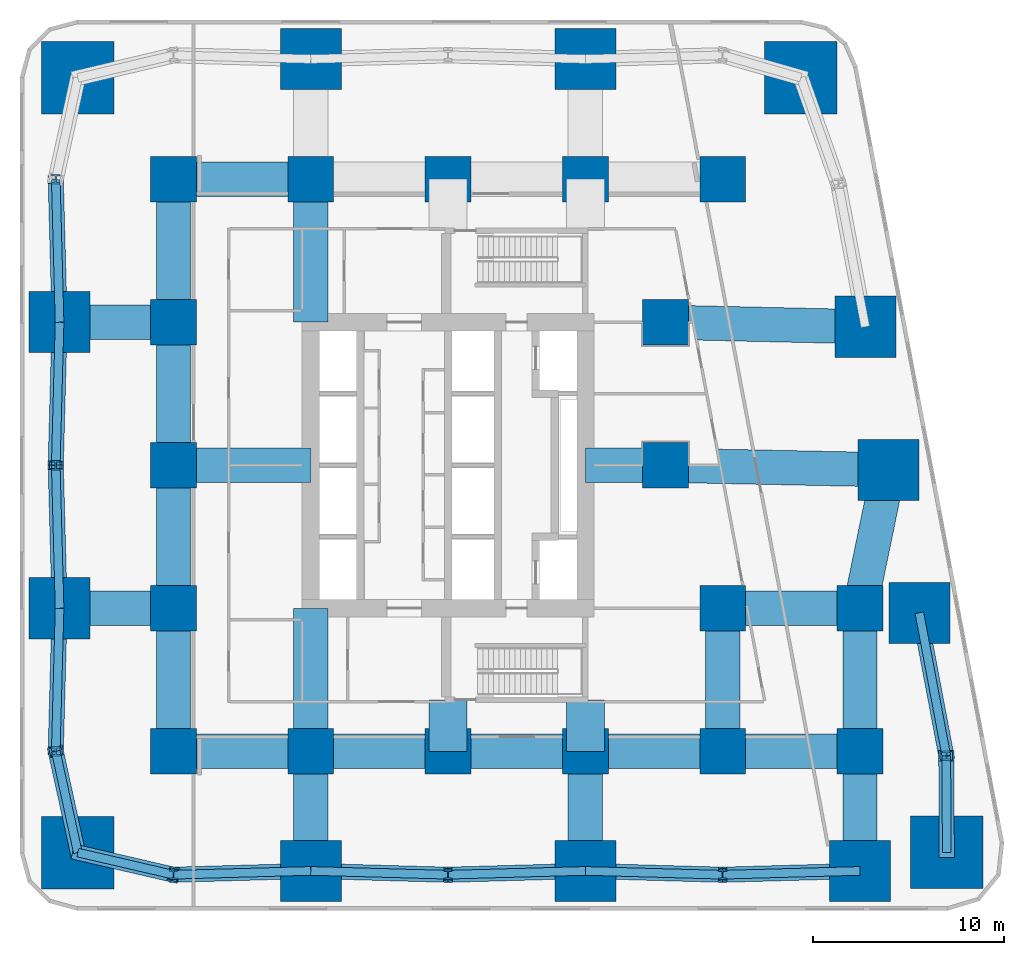
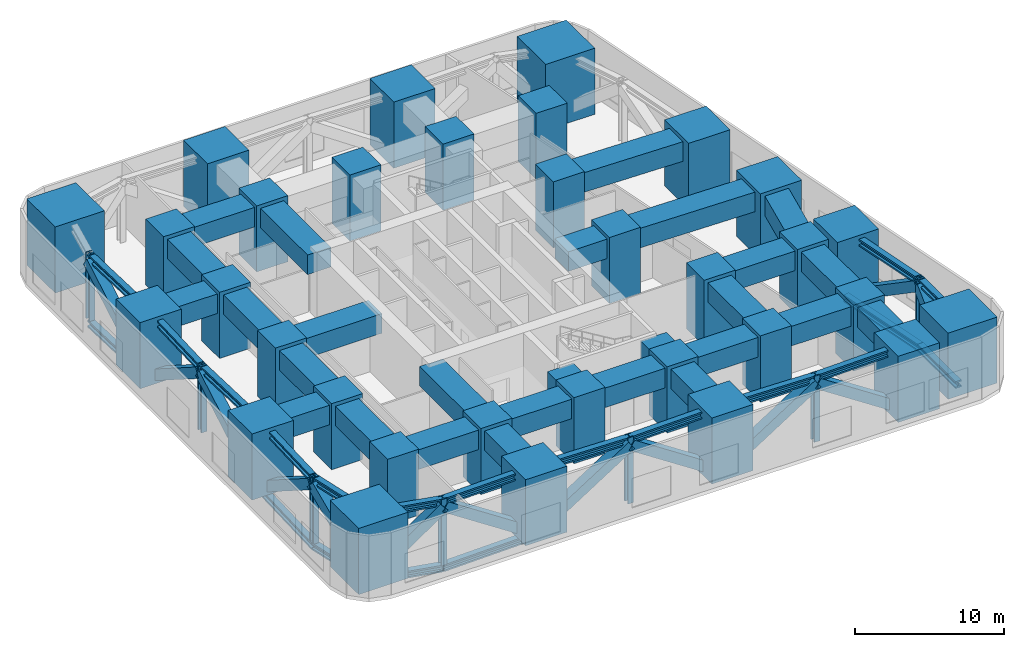
# One storey, part 1 of 8: 40 members, 32 columns, 27 beams.
"""IFC4 building model written with IfcOpenShell, lengths in metres."""

from ifc_helpers import new_model, si_unit, direction, frame, origin, origin_2d, place, context, subcontext, project, spatial, rectangle, hollow_rectangle, i_section, extrude, material, material_profile, profile_set, type_object, element, save


model = new_model("IFC4")

# Units and contexts
model_context = context("Model", 3, precision=1e-05, world=origin(), true_north=direction((0.0, 1.0)))
body_context = subcontext(model_context, "Body", "Model", "MODEL_VIEW")
ifc_project = project(units=[si_unit("LENGTHUNIT", "METRE"), si_unit("AREAUNIT", "SQUARE_METRE"), si_unit("VOLUMEUNIT", "CUBIC_METRE"), si_unit("PLANEANGLEUNIT", "RADIAN"), si_unit("MASSUNIT", "GRAM", prefix="KILO")], contexts=[model_context])

# Site, building, storey
site_placement = place(None, origin())
site = spatial("IfcSite", under=ifc_project, at=site_placement, CompositionType="ELEMENT")
building_placement = place(site_placement, origin())
building = spatial("IfcBuilding", under=site, at=building_placement, Name="Sheger Commons Tower", CompositionType="ELEMENT")
storey_placement = place(building_placement, frame((0.0, 0.0, 14.60009765625)))
storey = spatial("IfcBuildingStorey", under=building, at=storey_placement, Name="L03", CompositionType="ELEMENT", Elevation=14.60009765625)

# Columns
ifc_material_1 = material(Name="Concrete C50/60", Category="concrete")
ifc_material_profile_1 = material_profile(ifc_material_1, rectangle(XDim=2.39990234375, YDim=2.39990234375, at=origin_2d()), Name="RC 2400x2400")
ifc_profile_set_1 = profile_set([ifc_material_profile_1], Name="Concrete C50/60")
column_type_1 = type_object("IfcColumnType", Name="COLUMN RC 2400x2400", PredefinedType="COLUMN", material=ifc_profile_set_1)
for number, where, z_axis, x_axis, name in (
    (1, (7.199951171875, 7.5, 0.0), (0.0, 0.0, 1.0), (1.0, 0.0, 0.0), "Column 2/B L03"),
    (2, (14.39990234375, 7.5, 0.0), (0.0, 0.0, 1.0), (1.0, 0.0, 0.0), "Column 3/B L03"),
    (3, (21.60009765625, 7.5, 0.0), (0.0, 0.0, 1.0), (1.0, 0.0, 0.0), "Column 4/B L03"),
    (4, (28.800048828125, 7.5, 0.0), (0.0, 0.0, 1.0), (1.0, 0.0, 0.0), "Column 5/B L03"),
    (5, (36.0, 7.5, 0.0), (0.0, 0.0, 1.0), (1.0, 0.0, 0.0), "Column 6/B L03"),
    (6, (43.199951171875, 7.5, 0.0), (0.0, 0.0, 1.0), (1.0, 0.0, 0.0), "Column 7/B L03"),
    (7, (7.199951171875, 15.0, 0.0), (0.0, 0.0, 1.0), (1.0, 0.0, 0.0), "Column 2/C L03"),
    (8, (36.0, 15.0, 0.0), (0.0, 0.0, 1.0), (1.0, 0.0, 0.0), "Column 6/C L03"),
    (9, (43.199951171875, 15.0, 0.0), (0.0, 0.0, 1.0), (1.0, 0.0, 0.0), "Column 7/C L03"),
    (10, (7.199951171875, 22.5, 0.0), (0.0, 0.0, 1.0), (1.0, 0.0, 0.0), "Column 2/D L03"),
    (11, (33.0, 22.5, 0.0), (0.0, 0.0, 1.0), (1.0, 0.0, 0.0), "Column 6-3000/D L03"),
    (12, (7.199951171875, 30.0, 0.0), (0.0, 0.0, 1.0), (1.0, 0.0, 0.0), "Column 2/E L03"),
    (13, (33.0, 30.0, 0.0), (0.0, 0.0, 1.0), (1.0, 0.0, 0.0), "Column 6-3000/E L03"),
    (14, (7.199951171875, 37.5, 0.0), (0.0, 0.0, 1.0), (1.0, 0.0, 0.0), "Column 2/F L03"),
    (15, (14.39990234375, 37.5, 0.0), (0.0, 0.0, 1.0), (1.0, 0.0, 0.0), "Column 3/F L03"),
    (16, (21.60009765625, 37.5, 0.0), (0.0, 0.0, 1.0), (1.0, 0.0, 0.0), "Column 4/F L03"),
    (17, (28.800048828125, 37.5, 0.0), (0.0, 0.0, 1.0), (1.0, 0.0, 0.0), "Column 5/F L03"),
    (18, (36.0, 37.5, 0.0), (0.0, 0.0, 1.0), (1.0, 0.0, 0.0), "Column 6/F L03"),
):
    element("IfcColumn", number, at=place(storey_placement, frame(where, z_axis=z_axis, x_axis=x_axis)), inside=storey, type_object=column_type_1, Name=name, PredefinedType="COLUMN", context=body_context, shape_type="SweptSolid", body=[
        extrude(rectangle(XDim=2.39990234375, YDim=2.39990234375, at=origin_2d()), origin(), (0.0, 0.0, 1.0), 5.39990234375),
    ])
ifc_material_2 = material(Name="Concrete C50/60", Category="concrete")
ifc_material_profile_2 = material_profile(ifc_material_2, rectangle(XDim=3.199951171875, YDim=3.199951171875, at=origin_2d()), Name="RC 3200x3200")
ifc_profile_set_2 = profile_set([ifc_material_profile_2], Name="Concrete C50/60")
column_type_2 = type_object("IfcColumnType", Name="COLUMN RC 3200x3200", PredefinedType="COLUMN", material=ifc_profile_set_2)
for number, where, z_axis, x_axis, name in (
    (19, (14.39990234375, 1.22509765625, 0.0), (0.0, 0.0, 1.0), (1.0, 0.0, 0.0), "Column 3/A L03"),
    (20, (28.800048828125, 1.22509765625, 0.0), (0.0, 0.0, 1.0), (1.0, 0.0, 0.0), "Column 5/A L03"),
    (21, (43.199951171875, 1.22509765625, 0.0), (0.0, 0.0, 1.0), (1.0, 0.0, 0.0), "Column 7/A L03"),
    (22, (1.22509765625, 15.0, 0.0), (0.0, 0.0, 1.0), (1.0, 0.0, 0.0), "Column 1/C L03"),
    (23, (46.31396484375, 14.762939453125, 0.0), (0.0, 0.0, 1.0), (1.0, 0.0, 0.0), "Column E/C L03"),
    (24, (44.697021484375, 22.262939453125, 0.0), (0.0, 0.0, 1.0), (1.0, 0.0, 0.0), "Column 7/D L03"),
    (25, (1.22509765625, 30.0, 0.0), (0.0, 0.0, 1.0), (1.0, 0.0, 0.0), "Column 1/E L03"),
    (26, (43.47998046875, 29.762939453125, 0.0), (0.0, 0.0, 1.0), (1.0, 0.0, 0.0), "Column E/E L03"),
    (27, (14.39990234375, 43.800048828125, 0.0), (0.0, 0.0, 1.0), (1.0, 0.0, 0.0), "Column 3/G L03"),
    (28, (28.800048828125, 43.800048828125, 0.0), (0.0, 0.0, 1.0), (1.0, 0.0, 0.0), "Column 5/G L03"),
):
    element("IfcColumn", number, at=place(storey_placement, frame(where, z_axis=z_axis, x_axis=x_axis)), inside=storey, type_object=column_type_2, Name=name, PredefinedType="COLUMN", context=body_context, shape_type="SweptSolid", body=[
        extrude(rectangle(XDim=3.199951171875, YDim=3.199951171875, at=origin_2d()), origin(), (0.0, 0.0, 1.0), 5.39990234375),
    ])
ifc_material_3 = material(Name="Concrete C50/60", Category="concrete")
ifc_material_profile_3 = material_profile(ifc_material_3, rectangle(XDim=3.800048828125, YDim=3.800048828125, at=origin_2d()), Name="RC 3800x3800")
ifc_profile_set_3 = profile_set([ifc_material_profile_3], Name="Concrete C50/60")
column_type_3 = type_object("IfcColumnType", Name="COLUMN RC 3800x3800", PredefinedType="COLUMN", material=ifc_profile_set_3)
for number, where, z_axis, x_axis, name in (
    (29, (2.18603515625, 2.18603515625, 0.0), (0.0, 0.0, 1.0), (1.0, 0.0, 0.0), "Column 0.630,0.630 L03"),
    (30, (47.748046875, 2.197021484375, 0.0), (0.0, 0.0, 1.0), (1.0, 0.0, 0.0), "Column 49.461,0.778 L03"),
    (31, (2.18603515625, 42.81396484375, 0.0), (0.0, 0.0, 1.0), (1.0, 0.0, 0.0), "Column 0.630,44.370 L03"),
    (32, (40.10205078125, 42.830078125, 0.0), (0.0, 0.0, 1.0), (1.0, 0.0, 0.0), "Column 41.490,44.505 L03"),
):
    element("IfcColumn", number, at=place(storey_placement, frame(where, z_axis=z_axis, x_axis=x_axis)), inside=storey, type_object=column_type_3, Name=name, PredefinedType="COLUMN", context=body_context, shape_type="SweptSolid", body=[
        extrude(rectangle(XDim=3.800048828125, YDim=3.800048828125, at=origin_2d()), origin(), (0.0, 0.0, 1.0), 5.39990234375),
    ])

# Beams
ifc_material_4 = material(Name="Concrete C50/60", Category="concrete")
ifc_material_profile_4 = material_profile(ifc_material_4, rectangle(XDim=1.800048828125, YDim=1.60009765625, at=origin_2d()), Name="RC 1800x1600")
ifc_profile_set_4 = profile_set([ifc_material_profile_4], Name="Concrete C50/60")
beam_type_1 = type_object("IfcBeamType", Name="BEAM RC 1800x1600", PredefinedType="BEAM", material=ifc_profile_set_4)
beam_1_placement = place(storey_placement, frame((7.199951171875, 7.5, 4.2998046875), z_axis=(1.0, 0.0, 0.0), x_axis=(0.0, 1.0, 0.0)))
element("IfcBeam", 33, at=beam_1_placement, inside=storey, type_object=beam_type_1, Name="Beam 2/B-3/B under L04", PredefinedType="BEAM", context=body_context, shape_type="SweptSolid", body=[
    extrude(rectangle(XDim=1.800048828125, YDim=1.60009765625, at=origin_2d()), origin(), (0.0, 0.0, 1.0), 7.199951171875),
])
beam_2_placement = place(storey_placement, frame((14.39990234375, 7.5, 4.2998046875), z_axis=(1.0, 0.0, 0.0), x_axis=(0.0, 1.0, 0.0)))
element("IfcBeam", 34, at=beam_2_placement, inside=storey, type_object=beam_type_1, Name="Beam 3/B-4/B under L04", PredefinedType="BEAM", context=body_context, shape_type="SweptSolid", body=[
    extrude(rectangle(XDim=1.800048828125, YDim=1.60009765625, at=origin_2d()), origin(), (0.0, 0.0, 1.0), 7.2001953125),
])
for number, where, z_axis, x_axis, name in (
    (35, (21.60009765625, 7.5, 4.2998046875), (1.0, 0.0, 0.0), (0.0, 1.0, 0.0), "Beam 4/B-5/B under L04"),
    (36, (28.800048828125, 7.5, 4.2998046875), (1.0, 0.0, 0.0), (0.0, 1.0, 0.0), "Beam 5/B-6/B under L04"),
    (37, (36.0, 7.5, 4.2998046875), (1.0, 0.0, 0.0), (0.0, 1.0, 0.0), "Beam 6/B-7/B under L04"),
):
    element("IfcBeam", number, at=place(storey_placement, frame(where, z_axis=z_axis, x_axis=x_axis)), inside=storey, type_object=beam_type_1, Name=name, PredefinedType="BEAM", context=body_context, shape_type="SweptSolid", body=[
        extrude(rectangle(XDim=1.800048828125, YDim=1.60009765625, at=origin_2d()), origin(), (0.0, 0.0, 1.0), 7.199951171875),
    ])
beam_3_placement = place(storey_placement, frame((1.22509765625, 15.0, 4.2998046875), z_axis=(1.0, 0.0, 0.0), x_axis=(0.0, 1.0, 0.0)))
element("IfcBeam", 38, at=beam_3_placement, inside=storey, type_object=beam_type_1, Name="Beam 1/C-2/C under L04", PredefinedType="BEAM", context=body_context, shape_type="SweptSolid", body=[
    extrude(rectangle(XDim=1.800048828125, YDim=1.60009765625, at=origin_2d()), origin(), (0.0, 0.0, 1.0), 5.974853515625),
])
for number, where, z_axis, x_axis, name in (
    (39, (36.0, 15.0, 4.2998046875), (1.0, 0.0, 0.0), (0.0, 1.0, 0.0), "Beam 6/C-7/C under L04"),
    (40, (7.199951171875, 22.5, 4.2998046875), (1.0, 0.0, 0.0), (0.0, 1.0, 0.0), "Beam 2/D-3/D under L04"),
):
    element("IfcBeam", number, at=place(storey_placement, frame(where, z_axis=z_axis, x_axis=x_axis)), inside=storey, type_object=beam_type_1, Name=name, PredefinedType="BEAM", context=body_context, shape_type="SweptSolid", body=[
        extrude(rectangle(XDim=1.800048828125, YDim=1.60009765625, at=origin_2d()), origin(), (0.0, 0.0, 1.0), 7.199951171875),
    ])
beam_4_placement = place(storey_placement, frame((28.800048828125, 22.5, 4.2998046875), z_axis=(1.0, 0.0, 0.0), x_axis=(0.0, 1.0, 0.0)))
element("IfcBeam", 41, at=beam_4_placement, inside=storey, type_object=beam_type_1, Name="Beam 5/D-6-3000/D under L04", PredefinedType="BEAM", context=body_context, shape_type="SweptSolid", body=[
    extrude(rectangle(XDim=1.800048828125, YDim=1.60009765625, at=origin_2d()), origin(), (0.0, 0.0, 1.0), 4.199951171875),
])
beam_5_placement = place(storey_placement, frame((33.0, 22.5, 4.2998046875), z_axis=(0.999794692776, -0.02026258368, 0.0), x_axis=(0.02026258368, 0.999794692776, 0.0)))
element("IfcBeam", 42, at=beam_5_placement, inside=storey, type_object=beam_type_1, Name="Beam 6-3000/D-7/D under L04", PredefinedType="BEAM", context=body_context, shape_type="SweptSolid", body=[
    extrude(rectangle(XDim=1.800048828125, YDim=1.60009765625, at=origin_2d()), origin(), (0.0, 0.0, 1.0), 11.699462890625),
])
beam_6_placement = place(storey_placement, frame((1.22509765625, 30.0, 4.2998046875), z_axis=(1.0, 0.0, 0.0), x_axis=(0.0, 1.0, 0.0)))
element("IfcBeam", 43, at=beam_6_placement, inside=storey, type_object=beam_type_1, Name="Beam 1/E-2/E under L04", PredefinedType="BEAM", context=body_context, shape_type="SweptSolid", body=[
    extrude(rectangle(XDim=1.800048828125, YDim=1.60009765625, at=origin_2d()), origin(), (0.0, 0.0, 1.0), 5.974853515625),
])
beam_7_placement = place(storey_placement, frame((33.0, 30.0, 4.2998046875), z_axis=(0.999744258625, -0.022614538395, 0.0), x_axis=(0.022614538395, 0.999744258625, 0.0)))
element("IfcBeam", 44, at=beam_7_placement, inside=storey, type_object=beam_type_1, Name="Beam 6-3000/E-E/E under L04", PredefinedType="BEAM", context=body_context, shape_type="SweptSolid", body=[
    extrude(rectangle(XDim=1.800048828125, YDim=1.60009765625, at=origin_2d()), origin(), (0.0, 0.0, 1.0), 10.482666015625),
])
beam_8_placement = place(storey_placement, frame((7.199951171875, 37.5, 4.2998046875), z_axis=(1.0, 0.0, 0.0), x_axis=(0.0, 1.0, 0.0)))
element("IfcBeam", 45, at=beam_8_placement, inside=storey, type_object=beam_type_1, Name="Beam 2/F-3/F under L04", PredefinedType="BEAM", context=body_context, shape_type="SweptSolid", body=[
    extrude(rectangle(XDim=1.800048828125, YDim=1.60009765625, at=origin_2d()), origin(), (0.0, 0.0, 1.0), 7.199951171875),
])
for number, where, z_axis, x_axis, name in (
    (46, (7.199951171875, 7.5, 4.2998046875), (0.0, 1.0, 0.0), (-1.0, 0.0, 0.0), "Beam 2/B-2/C under L04"),
    (47, (7.199951171875, 15.0, 4.2998046875), (0.0, 1.0, 0.0), (-1.0, 0.0, 0.0), "Beam 2/C-2/D under L04"),
    (48, (7.199951171875, 22.5, 4.2998046875), (0.0, 1.0, 0.0), (-1.0, 0.0, 0.0), "Beam 2/D-2/E under L04"),
    (49, (7.199951171875, 30.0, 4.2998046875), (0.0, 1.0, 0.0), (-1.0, 0.0, 0.0), "Beam 2/E-2/F under L04"),
):
    element("IfcBeam", number, at=place(storey_placement, frame(where, z_axis=z_axis, x_axis=x_axis)), inside=storey, type_object=beam_type_1, Name=name, PredefinedType="BEAM", context=body_context, shape_type="SweptSolid", body=[
        extrude(rectangle(XDim=1.800048828125, YDim=1.60009765625, at=origin_2d()), origin(), (0.0, 0.0, 1.0), 7.5),
    ])
beam_9_placement = place(storey_placement, frame((14.39990234375, 1.22509765625, 4.2998046875), z_axis=(0.0, 1.0, 0.0), x_axis=(-1.0, 0.0, 0.0)))
element("IfcBeam", 50, at=beam_9_placement, inside=storey, type_object=beam_type_1, Name="Beam 3/A-3/B under L04", PredefinedType="BEAM", context=body_context, shape_type="SweptSolid", body=[
    extrude(rectangle(XDim=1.800048828125, YDim=1.60009765625, at=origin_2d()), origin(), (0.0, 0.0, 1.0), 6.27490234375),
])
for number, where, z_axis, x_axis, name in (
    (51, (14.39990234375, 7.5, 4.2998046875), (0.0, 1.0, 0.0), (-1.0, 0.0, 0.0), "Beam 3/B-3/C under L04"),
    (52, (14.39990234375, 30.0, 4.2998046875), (0.0, 1.0, 0.0), (-1.0, 0.0, 0.0), "Beam 3/E-3/F under L04"),
):
    element("IfcBeam", number, at=place(storey_placement, frame(where, z_axis=z_axis, x_axis=x_axis)), inside=storey, type_object=beam_type_1, Name=name, PredefinedType="BEAM", context=body_context, shape_type="SweptSolid", body=[
        extrude(rectangle(XDim=1.800048828125, YDim=1.60009765625, at=origin_2d()), origin(), (0.0, 0.0, 1.0), 7.5),
    ])
beam_10_placement = place(storey_placement, frame((28.800048828125, 1.22509765625, 4.2998046875), z_axis=(0.0, 1.0, 0.0), x_axis=(-1.0, 0.0, 0.0)))
element("IfcBeam", 53, at=beam_10_placement, inside=storey, type_object=beam_type_1, Name="Beam 5/A-5/B under L04", PredefinedType="BEAM", context=body_context, shape_type="SweptSolid", body=[
    extrude(rectangle(XDim=1.800048828125, YDim=1.60009765625, at=origin_2d()), origin(), (0.0, 0.0, 1.0), 6.27490234375),
])
beam_11_placement = place(storey_placement, frame((36.0, 7.5, 4.2998046875), z_axis=(0.0, 1.0, 0.0), x_axis=(-1.0, 0.0, 0.0)))
element("IfcBeam", 54, at=beam_11_placement, inside=storey, type_object=beam_type_1, Name="Beam 6/B-6/C under L04", PredefinedType="BEAM", context=body_context, shape_type="SweptSolid", body=[
    extrude(rectangle(XDim=1.800048828125, YDim=1.60009765625, at=origin_2d()), origin(), (0.0, 0.0, 1.0), 7.5),
])
beam_12_placement = place(storey_placement, frame((43.199951171875, 1.22509765625, 4.2998046875), z_axis=(0.0, 1.0, 0.0), x_axis=(-1.0, 0.0, 0.0)))
element("IfcBeam", 55, at=beam_12_placement, inside=storey, type_object=beam_type_1, Name="Beam 7/A-7/B under L04", PredefinedType="BEAM", context=body_context, shape_type="SweptSolid", body=[
    extrude(rectangle(XDim=1.800048828125, YDim=1.60009765625, at=origin_2d()), origin(), (0.0, 0.0, 1.0), 6.27490234375),
])
beam_13_placement = place(storey_placement, frame((43.199951171875, 7.5, 4.2998046875), z_axis=(0.0, 1.0, 0.0), x_axis=(-1.0, 0.0, 0.0)))
element("IfcBeam", 56, at=beam_13_placement, inside=storey, type_object=beam_type_1, Name="Beam 7/B-7/C under L04", PredefinedType="BEAM", context=body_context, shape_type="SweptSolid", body=[
    extrude(rectangle(XDim=1.800048828125, YDim=1.60009765625, at=origin_2d()), origin(), (0.0, 0.0, 1.0), 7.5),
])
beam_14_placement = place(storey_placement, frame((43.199951171875, 15.0, 4.2998046875), z_axis=(0.201880503661, 0.979410160373, 0.0), x_axis=(-0.979410160373, 0.201880503661, 0.0)))
element("IfcBeam", 57, at=beam_14_placement, inside=storey, type_object=beam_type_1, Name="Beam 7/C-7/D under L04", PredefinedType="BEAM", context=body_context, shape_type="SweptSolid", body=[
    extrude(rectangle(XDim=1.800048828125, YDim=1.60009765625, at=origin_2d()), origin(), (0.0, 0.0, 1.0), 7.41552734375),
])
ifc_material_5 = material(Name="Concrete C50/60", Category="concrete")
ifc_material_profile_5 = material_profile(ifc_material_5, rectangle(XDim=2.0, YDim=2.0, at=origin_2d()), Name="RC 2000x2000")
ifc_profile_set_5 = profile_set([ifc_material_profile_5], Name="Concrete C50/60")
beam_type_2 = type_object("IfcBeamType", Name="BEAM RC 2000x2000", PredefinedType="BEAM", material=ifc_profile_set_5)
for number, where, z_axis, x_axis, name in (
    (58, (21.60009765625, 7.5, 4.099853515625), (0.0, 1.0, 0.0), (-1.0, 0.0, 0.0), "Beam 4/B-21.600,10.200 under L04"),
    (59, (28.800048828125, 7.5, 4.099853515625), (0.0, 1.0, 0.0), (-1.0, 0.0, 0.0), "Beam 5/B-28.800,10.200 under L04"),
):
    element("IfcBeam", number, at=place(storey_placement, frame(where, z_axis=z_axis, x_axis=x_axis)), inside=storey, type_object=beam_type_2, Name=name, PredefinedType="BEAM", context=body_context, shape_type="SweptSolid", body=[
        extrude(rectangle(XDim=2.0, YDim=2.0, at=origin_2d()), origin(), (0.0, 0.0, 1.0), 2.699951171875),
    ])

# Members
ifc_material_6 = material(Name="Steel S355", Category="steel")
ifc_material_profile_6 = material_profile(ifc_material_6, hollow_rectangle(XDim=0.800048828125, YDim=0.800048828125, WallThickness=0.080078125, at=origin_2d()), Name="BOX 800x800x80")
ifc_profile_set_6 = profile_set([ifc_material_profile_6], Name="Steel S355")
member_type_1 = type_object("IfcMemberType", Name="BRACE BOX 800x800x80", PredefinedType="BRACE", material=ifc_profile_set_6)
member_1_placement = place(storey_placement, frame((2.18603515625, 2.18603515625, -0.300048828125), z_axis=(0.710307028416, -0.164494338372, 0.684401591192), x_axis=(0.225611239159, 0.974217413499, 0.0)))
element("IfcMember", 60, at=member_1_placement, inside=storey, type_object=member_type_1, Name="Transfer truss T1 diagonal", PredefinedType="BRACE", context=body_context, shape_type="SweptSolid", body=[
    extrude(hollow_rectangle(XDim=0.800048828125, YDim=0.800048828125, WallThickness=0.080078125, at=origin_2d()), origin(), (0.0, 0.0, 1.0), 7.058837890625),
])
member_2_placement = place(storey_placement, frame((14.39990234375, 1.22509765625, -0.300048828125), z_axis=(-0.83017054372, -0.02308296924, 0.557031457703), x_axis=(0.027794350926, -0.9996136624, 0.0)))
element("IfcMember", 61, at=member_2_placement, inside=storey, type_object=member_type_1, Name="Transfer truss T1 diagonal", PredefinedType="BRACE", context=body_context, shape_type="SweptSolid", body=[
    extrude(hollow_rectangle(XDim=0.800048828125, YDim=0.800048828125, WallThickness=0.080078125, at=origin_2d()), origin(), (0.0, 0.0, 1.0), 8.6728515625),
])
member_3_placement = place(storey_placement, frame((14.39990234375, 1.22509765625, -0.300048828125), z_axis=(0.830179292896, -0.023082429817, 0.557018440521), x_axis=(0.027793409217, 0.999613688584, 0.0)))
element("IfcMember", 62, at=member_3_placement, inside=storey, type_object=member_type_1, Name="Transfer truss T2 diagonal", PredefinedType="BRACE", context=body_context, shape_type="SweptSolid", body=[
    extrude(hollow_rectangle(XDim=0.800048828125, YDim=0.800048828125, WallThickness=0.080078125, at=origin_2d()), origin(), (0.0, 0.0, 1.0), 8.673095703125),
])
for number, where, z_axis, x_axis, name in (
    (63, (28.800048828125, 1.22509765625, -0.300048828125), (-0.83017054372, -0.02308296924, 0.557031457703), (0.027794350926, -0.9996136624, 0.0), "Transfer truss T2 diagonal"),
    (64, (28.800048828125, 1.22509765625, -0.300048828125), (0.83017054372, -0.02308296924, 0.557031457703), (0.027794350926, 0.9996136624, 0.0), "Transfer truss T3 diagonal"),
    (65, (43.199951171875, 1.22509765625, -0.300048828125), (-0.83017054372, -0.02308296924, 0.557031457703), (0.027794350926, -0.9996136624, 0.0), "Transfer truss T3 diagonal"),
):
    element("IfcMember", number, at=place(storey_placement, frame(where, z_axis=z_axis, x_axis=x_axis)), inside=storey, type_object=member_type_1, Name=name, PredefinedType="BRACE", context=body_context, shape_type="SweptSolid", body=[
        extrude(hollow_rectangle(XDim=0.800048828125, YDim=0.800048828125, WallThickness=0.080078125, at=origin_2d()), origin(), (0.0, 0.0, 1.0), 8.6728515625),
    ])
member_4_placement = place(storey_placement, frame((2.18603515625, 2.18603515625, -0.300048828125), z_axis=(-0.159606011293, 0.730442481455, 0.664063025959), x_axis=(-0.976949769283, -0.213469314652, 0.0)))
element("IfcMember", 66, at=member_4_placement, inside=storey, type_object=member_type_1, Name="Transfer truss T7 diagonal", PredefinedType="BRACE", context=body_context, shape_type="SweptSolid", body=[
    extrude(hollow_rectangle(XDim=0.800048828125, YDim=0.800048828125, WallThickness=0.080078125, at=origin_2d()), origin(), (0.0, 0.0, 1.0), 7.27490234375),
])
for number, where, z_axis, x_axis, name in (
    (67, (1.22509765625, 15.0, -0.300048828125), (-0.022434573446, -0.840475727142, 0.541384560178), (0.999643939919, -0.026683204125, 0.0), "Transfer truss T7 diagonal"),
    (68, (1.22509765625, 15.0, -0.300048828125), (-0.022434573446, 0.840475727142, 0.541384560178), (-0.999643939919, -0.026683204125, 0.0), "Transfer truss T8 diagonal"),
    (69, (1.22509765625, 30.0, -0.300048828125), (-0.022434573446, -0.840475727142, 0.541384560178), (0.999643939919, -0.026683204125, 0.0), "Transfer truss T8 diagonal"),
    (70, (1.22509765625, 30.0, -0.300048828125), (-0.022434573446, 0.840475727142, 0.541384560178), (-0.999643939919, -0.026683204125, 0.0), "Transfer truss T9 diagonal"),
):
    element("IfcMember", number, at=place(storey_placement, frame(where, z_axis=z_axis, x_axis=x_axis)), inside=storey, type_object=member_type_1, Name=name, PredefinedType="BRACE", context=body_context, shape_type="SweptSolid", body=[
        extrude(hollow_rectangle(XDim=0.800048828125, YDim=0.800048828125, WallThickness=0.080078125, at=origin_2d()), origin(), (0.0, 0.0, 1.0), 8.923583984375),
    ])
member_5_placement = place(storey_placement, frame((47.748046875, 2.197021484375, -0.300048828125), z_axis=(-0.002580837737, 0.723680852029, 0.690129961444), x_axis=(-0.999993640937, -0.003566242382, 0.0)))
element("IfcMember", 71, at=member_5_placement, inside=storey, type_object=member_type_1, Name="Transfer truss T10 diagonal", PredefinedType="BRACE", context=body_context, shape_type="SweptSolid", body=[
    extrude(hollow_rectangle(XDim=0.800048828125, YDim=0.800048828125, WallThickness=0.080078125, at=origin_2d()), origin(), (0.0, 0.0, 1.0), 7.000244140625),
])
member_6_placement = place(storey_placement, frame((46.31396484375, 14.762939453125, -0.300048828125), z_axis=(0.156761145672, -0.830293516388, 0.53482578458), x_axis=(0.982639655108, 0.18552441405, 0.0)))
element("IfcMember", 72, at=member_6_placement, inside=storey, type_object=member_type_1, Name="Transfer truss T10 diagonal", PredefinedType="BRACE", context=body_context, shape_type="SweptSolid", body=[
    extrude(hollow_rectangle(XDim=0.800048828125, YDim=0.800048828125, WallThickness=0.080078125, at=origin_2d()), origin(), (0.0, 0.0, 1.0), 9.032958984375),
])
ifc_material_7 = material(Name="Steel S460", Category="steel")
ifc_material_profile_7 = material_profile(ifc_material_7, i_section(OverallWidth=0.4541015625, OverallDepth=0.569091796875, WebThickness=0.077880859375, FlangeThickness=0.125, at=origin_2d()), Name="HD 400x1086")
ifc_profile_set_7 = profile_set([ifc_material_profile_7], Name="Steel S460")
member_type_2 = type_object("IfcMemberType", Name="CHORD HD 400x1086", PredefinedType="CHORD", material=ifc_profile_set_7)
member_7_placement = place(storey_placement, frame((2.18603515625, 2.18603515625, 4.8154296875), z_axis=(0.974217413499, -0.225611239159, 0.0), x_axis=(0.225611239159, 0.974217413499, 0.0)))
element("IfcMember", 73, at=member_7_placement, inside=storey, type_object=member_type_2, Name="Transfer truss T1 top chord", PredefinedType="CHORD", context=body_context, shape_type="SweptSolid", body=[
    extrude(i_section(OverallWidth=0.4541015625, OverallDepth=0.569091796875, WebThickness=0.077880859375, FlangeThickness=0.125, at=origin_2d()), origin(), (0.0, 0.0, 1.0), 5.146728515625),
])
member_8_placement = place(storey_placement, frame((7.199951171875, 1.02490234375, 4.8154296875), z_axis=(0.9996136624, 0.027794350926, 0.0), x_axis=(-0.027794350926, 0.9996136624, 0.0)))
element("IfcMember", 74, at=member_8_placement, inside=storey, type_object=member_type_2, Name="Transfer truss T1 top chord", PredefinedType="CHORD", context=body_context, shape_type="SweptSolid", body=[
    extrude(i_section(OverallWidth=0.4541015625, OverallDepth=0.569091796875, WebThickness=0.077880859375, FlangeThickness=0.125, at=origin_2d()), origin(), (0.0, 0.0, 1.0), 7.20263671875),
])
member_9_placement = place(storey_placement, frame((2.18603515625, 2.18603515625, -0.584716796875), z_axis=(0.974217413499, -0.225611239159, 0.0), x_axis=(0.225611239159, 0.974217413499, 0.0)))
element("IfcMember", 75, at=member_9_placement, inside=storey, type_object=member_type_2, Name="Transfer truss T1 bottom chord", PredefinedType="CHORD", context=body_context, shape_type="SweptSolid", body=[
    extrude(i_section(OverallWidth=0.4541015625, OverallDepth=0.569091796875, WebThickness=0.077880859375, FlangeThickness=0.125, at=origin_2d()), origin(), (0.0, 0.0, 1.0), 5.146728515625),
])
member_10_placement = place(storey_placement, frame((7.199951171875, 1.02490234375, -0.584716796875), z_axis=(0.9996136624, 0.027794350926, 0.0), x_axis=(-0.027794350926, 0.9996136624, 0.0)))
element("IfcMember", 76, at=member_10_placement, inside=storey, type_object=member_type_2, Name="Transfer truss T1 bottom chord", PredefinedType="CHORD", context=body_context, shape_type="SweptSolid", body=[
    extrude(i_section(OverallWidth=0.4541015625, OverallDepth=0.569091796875, WebThickness=0.077880859375, FlangeThickness=0.125, at=origin_2d()), origin(), (0.0, 0.0, 1.0), 7.20263671875),
])
member_11_placement = place(storey_placement, frame((14.39990234375, 1.22509765625, 4.8154296875), z_axis=(0.999613688584, -0.027793409217, 0.0), x_axis=(0.027793409217, 0.999613688584, 0.0)))
element("IfcMember", 77, at=member_11_placement, inside=storey, type_object=member_type_2, Name="Transfer truss T2 top chord", PredefinedType="CHORD", context=body_context, shape_type="SweptSolid", body=[
    extrude(i_section(OverallWidth=0.4541015625, OverallDepth=0.569091796875, WebThickness=0.077880859375, FlangeThickness=0.125, at=origin_2d()), origin(), (0.0, 0.0, 1.0), 7.202880859375),
])
for number, where, z_axis, x_axis, name in (
    (78, (21.60009765625, 1.02490234375, 4.8154296875), (0.9996136624, 0.027794350926, 0.0), (-0.027794350926, 0.9996136624, 0.0), "Transfer truss T2 top chord"),
    (79, (28.800048828125, 1.22509765625, 4.8154296875), (0.9996136624, -0.027794350926, 0.0), (0.027794350926, 0.9996136624, 0.0), "Transfer truss T3 top chord"),
    (80, (36.0, 1.02490234375, 4.8154296875), (0.9996136624, 0.027794350926, 0.0), (-0.027794350926, 0.9996136624, 0.0), "Transfer truss T3 top chord"),
):
    element("IfcMember", number, at=place(storey_placement, frame(where, z_axis=z_axis, x_axis=x_axis)), inside=storey, type_object=member_type_2, Name=name, PredefinedType="CHORD", context=body_context, shape_type="SweptSolid", body=[
        extrude(i_section(OverallWidth=0.4541015625, OverallDepth=0.569091796875, WebThickness=0.077880859375, FlangeThickness=0.125, at=origin_2d()), origin(), (0.0, 0.0, 1.0), 7.20263671875),
    ])
member_12_placement = place(storey_placement, frame((2.18603515625, 2.18603515625, 4.8154296875), z_axis=(-0.213469314652, 0.976949769283, 0.0), x_axis=(-0.976949769283, -0.213469314652, 0.0)))
element("IfcMember", 81, at=member_12_placement, inside=storey, type_object=member_type_2, Name="Transfer truss T7 top chord", PredefinedType="CHORD", context=body_context, shape_type="SweptSolid", body=[
    extrude(i_section(OverallWidth=0.4541015625, OverallDepth=0.569091796875, WebThickness=0.077880859375, FlangeThickness=0.125, at=origin_2d()), origin(), (0.0, 0.0, 1.0), 5.439453125),
])
member_13_placement = place(storey_placement, frame((1.02490234375, 7.5, 4.8154296875), z_axis=(0.026683204125, 0.999643939919, 0.0), x_axis=(-0.999643939919, 0.026683204125, 0.0)))
element("IfcMember", 82, at=member_13_placement, inside=storey, type_object=member_type_2, Name="Transfer truss T7 top chord", PredefinedType="CHORD", context=body_context, shape_type="SweptSolid", body=[
    extrude(i_section(OverallWidth=0.4541015625, OverallDepth=0.569091796875, WebThickness=0.077880859375, FlangeThickness=0.125, at=origin_2d()), origin(), (0.0, 0.0, 1.0), 7.502685546875),
])
member_14_placement = place(storey_placement, frame((2.18603515625, 2.18603515625, -0.584716796875), z_axis=(-0.213469314652, 0.976949769283, 0.0), x_axis=(-0.976949769283, -0.213469314652, 0.0)))
element("IfcMember", 83, at=member_14_placement, inside=storey, type_object=member_type_2, Name="Transfer truss T7 bottom chord", PredefinedType="CHORD", context=body_context, shape_type="SweptSolid", body=[
    extrude(i_section(OverallWidth=0.4541015625, OverallDepth=0.569091796875, WebThickness=0.077880859375, FlangeThickness=0.125, at=origin_2d()), origin(), (0.0, 0.0, 1.0), 5.439453125),
])
for number, where, z_axis, x_axis, name in (
    (84, (1.02490234375, 7.5, -0.584716796875), (0.026683204125, 0.999643939919, 0.0), (-0.999643939919, 0.026683204125, 0.0), "Transfer truss T7 bottom chord"),
    (85, (1.22509765625, 15.0, 4.8154296875), (-0.026683204125, 0.999643939919, 0.0), (-0.999643939919, -0.026683204125, 0.0), "Transfer truss T8 top chord"),
    (86, (1.02490234375, 22.5, 4.8154296875), (0.026683204125, 0.999643939919, 0.0), (-0.999643939919, 0.026683204125, 0.0), "Transfer truss T8 top chord"),
    (87, (1.22509765625, 30.0, 4.8154296875), (-0.026683204125, 0.999643939919, 0.0), (-0.999643939919, -0.026683204125, 0.0), "Transfer truss T9 top chord"),
    (88, (1.22509765625, 30.0, -0.584716796875), (-0.026683204125, 0.999643939919, 0.0), (-0.999643939919, -0.026683204125, 0.0), "Transfer truss T9 bottom chord"),
):
    element("IfcMember", number, at=place(storey_placement, frame(where, z_axis=z_axis, x_axis=x_axis)), inside=storey, type_object=member_type_2, Name=name, PredefinedType="CHORD", context=body_context, shape_type="SweptSolid", body=[
        extrude(i_section(OverallWidth=0.4541015625, OverallDepth=0.569091796875, WebThickness=0.077880859375, FlangeThickness=0.125, at=origin_2d()), origin(), (0.0, 0.0, 1.0), 7.502685546875),
    ])
member_15_placement = place(storey_placement, frame((47.748046875, 2.197021484375, 4.8154296875), z_axis=(-0.003566242382, 0.999993640937, 0.0), x_axis=(-0.999993640937, -0.003566242382, 0.0)))
element("IfcMember", 89, at=member_15_placement, inside=storey, type_object=member_type_2, Name="Transfer truss T10 top chord", PredefinedType="CHORD", context=body_context, shape_type="SweptSolid", body=[
    extrude(i_section(OverallWidth=0.4541015625, OverallDepth=0.569091796875, WebThickness=0.077880859375, FlangeThickness=0.125, at=origin_2d()), origin(), (0.0, 0.0, 1.0), 5.06591796875),
])
member_16_placement = place(storey_placement, frame((47.72998046875, 7.262939453125, 4.8154296875), z_axis=(-0.18552441405, 0.982639655108, 0.0), x_axis=(-0.982639655108, -0.18552441405, 0.0)))
element("IfcMember", 90, at=member_16_placement, inside=storey, type_object=member_type_2, Name="Transfer truss T10 top chord", PredefinedType="CHORD", context=body_context, shape_type="SweptSolid", body=[
    extrude(i_section(OverallWidth=0.4541015625, OverallDepth=0.569091796875, WebThickness=0.077880859375, FlangeThickness=0.125, at=origin_2d()), origin(), (0.0, 0.0, 1.0), 7.632568359375),
])
member_17_placement = place(storey_placement, frame((47.748046875, 2.197021484375, -0.584716796875), z_axis=(-0.003566242382, 0.999993640937, 0.0), x_axis=(-0.999993640937, -0.003566242382, 0.0)))
element("IfcMember", 91, at=member_17_placement, inside=storey, type_object=member_type_2, Name="Transfer truss T10 bottom chord", PredefinedType="CHORD", context=body_context, shape_type="SweptSolid", body=[
    extrude(i_section(OverallWidth=0.4541015625, OverallDepth=0.569091796875, WebThickness=0.077880859375, FlangeThickness=0.125, at=origin_2d()), origin(), (0.0, 0.0, 1.0), 5.06591796875),
])
member_18_placement = place(storey_placement, frame((47.72998046875, 7.262939453125, -0.584716796875), z_axis=(-0.18552441405, 0.982639655108, 0.0), x_axis=(-0.982639655108, -0.18552441405, 0.0)))
element("IfcMember", 92, at=member_18_placement, inside=storey, type_object=member_type_2, Name="Transfer truss T10 bottom chord", PredefinedType="CHORD", context=body_context, shape_type="SweptSolid", body=[
    extrude(i_section(OverallWidth=0.4541015625, OverallDepth=0.569091796875, WebThickness=0.077880859375, FlangeThickness=0.125, at=origin_2d()), origin(), (0.0, 0.0, 1.0), 7.632568359375),
])
ifc_material_8 = material(Name="Steel S460", Category="steel")
ifc_material_profile_8 = material_profile(ifc_material_8, i_section(OverallWidth=0.431884765625, OverallDepth=0.498046875, WebThickness=0.0556640625, FlangeThickness=0.0888671875, at=origin_2d()), Name="HD 400x744")
ifc_profile_set_8 = profile_set([ifc_material_profile_8], Name="Steel S460")
member_type_3 = type_object("IfcMemberType", Name="POST HD 400x744", PredefinedType="POST", material=ifc_profile_set_8)
for number, where, z_axis, x_axis, name in (
    (93, (7.199951171875, 1.02490234375, -0.300048828125), (0.0, 0.0, 1.0), (1.0, 0.0, 0.0), "Transfer truss T1 post"),
    (94, (21.60009765625, 1.02490234375, -0.300048828125), (0.0, 0.0, 1.0), (1.0, 0.0, 0.0), "Transfer truss T2 post"),
    (95, (36.0, 1.02490234375, -0.300048828125), (0.0, 0.0, 1.0), (1.0, 0.0, 0.0), "Transfer truss T3 post"),
    (96, (1.02490234375, 7.5, -0.300048828125), (0.0, 0.0, 1.0), (1.0, 0.0, 0.0), "Transfer truss T7 post"),
    (97, (1.02490234375, 22.5, -0.300048828125), (0.0, 0.0, 1.0), (1.0, 0.0, 0.0), "Transfer truss T8 post"),
    (98, (1.02490234375, 37.5, -0.300048828125), (0.0, 0.0, 1.0), (1.0, 0.0, 0.0), "Transfer truss T9 post"),
    (99, (47.72998046875, 7.262939453125, -0.300048828125), (0.0, 0.0, 1.0), (1.0, 0.0, 0.0), "Transfer truss T10 post"),
):
    element("IfcMember", number, at=place(storey_placement, frame(where, z_axis=z_axis, x_axis=x_axis)), inside=storey, type_object=member_type_3, Name=name, PredefinedType="POST", context=body_context, shape_type="SweptSolid", body=[
        extrude(i_section(OverallWidth=0.431884765625, OverallDepth=0.498046875, WebThickness=0.0556640625, FlangeThickness=0.0888671875, at=origin_2d()), origin(), (0.0, 0.0, 1.0), 5.39990234375),
    ])

save(model, "model.ifc")
